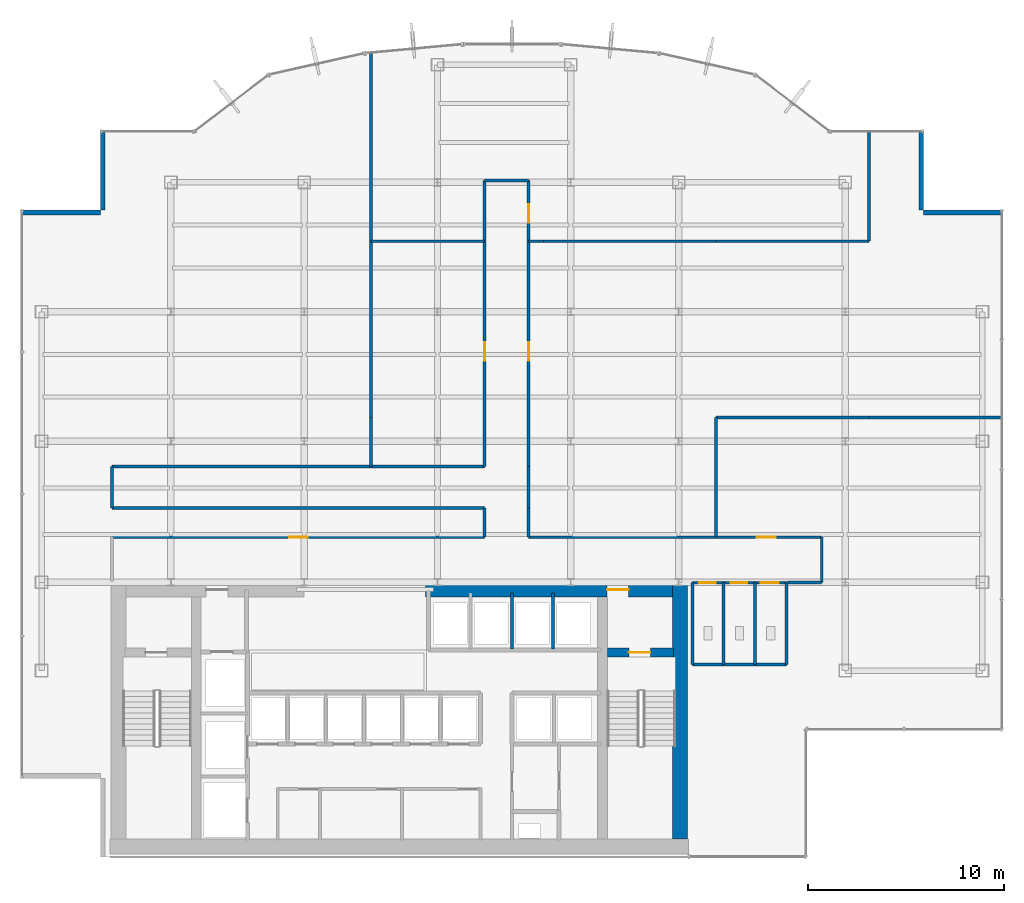
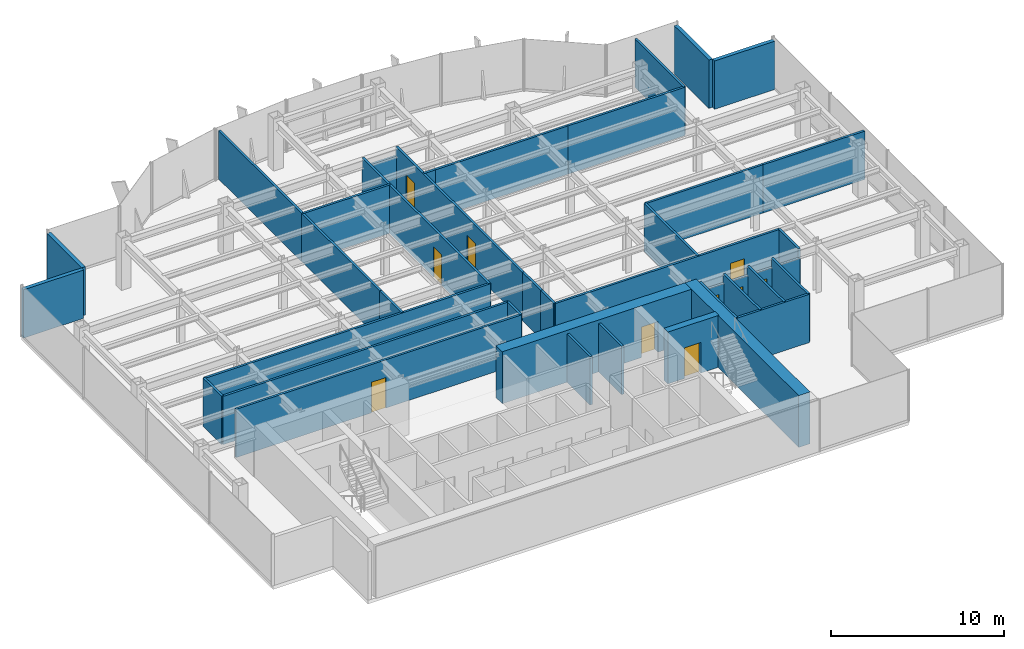
# One storey, part 21 of 25: 39 walls, 10 doors, 10 openings.
"""IFC4 building model written with IfcOpenShell, lengths in metres."""

from ifc_helpers import new_model, si_unit, derived_unit, direction, frame, frame_2d, origin, place, context, subcontext, project, spatial, rectangle, extrude, source, transform, mapped, material, layer, layer_set, type_object, element, fill, save


model = new_model("IFC4")

# Units and contexts
model_context = context("Model", 3, precision=1e-05, world=origin(), true_north=direction((0.0, 1.0)))
body_context = subcontext(model_context, "Body", "Model", "MODEL_VIEW")
ifc_project = project(units=[si_unit("LENGTHUNIT", "METRE"), si_unit("AREAUNIT", "SQUARE_METRE"), si_unit("VOLUMEUNIT", "CUBIC_METRE"), si_unit("PLANEANGLEUNIT", "RADIAN"), si_unit("MASSUNIT", "GRAM", prefix="KILO"), derived_unit("THERMALTRANSMITTANCEUNIT", [(si_unit("POWERUNIT", "WATT"), 1), (si_unit("LENGTHUNIT", "METRE"), -2), (si_unit("THERMODYNAMICTEMPERATUREUNIT", "KELVIN"), -1)])], contexts=[model_context])

# Site, building, storey
site_placement = place(None, origin())
site = spatial("IfcSite", under=ifc_project, at=site_placement, CompositionType="ELEMENT")
building_placement = place(site_placement, origin())
building = spatial("IfcBuilding", under=site, at=building_placement, Name="Skarnbrae Concourse Arena and Tower", CompositionType="ELEMENT")
storey_placement = place(building_placement, frame((0.0, 0.0, 147.89990234375)))
storey = spatial("IfcBuildingStorey", under=building, at=storey_placement, Name="L37", CompositionType="ELEMENT", Elevation=147.89990234375)

# Wall, opening, door
ifc_material_1 = material(Name="Concrete 50 MPa (C50/60)", Category="concrete")
ifc_layer_1 = layer(ifc_material_1, 0.449951171875)
ifc_layer_set_1 = layer_set([ifc_layer_1], Name="Concrete 50 MPa (C50/60)")
wall_type_1 = type_object("IfcWallType", Name="WALL-CORE-450-C50", PredefinedType="SHEAR", material=ifc_layer_set_1)
shared_shape_1 = source(origin(), body_context, "Body", "SweptSolid", [
    extrude(rectangle(XDim=3.389892578125, YDim=0.449951171875, at=frame_2d((1.69482421875, 0.0))), origin(), (0.0, 0.0, 1.0), 3.650146484375),
])
wall_1_placement = place(storey_placement, frame((29.860107421875, 10.419921875, 0.0), z_axis=(0.0, 0.0, 1.0), x_axis=(1.0, 0.0, 0.0)))
wall_1 = element("IfcWall", 1, at=wall_1_placement, inside=storey, type_object=wall_type_1, Name="L37 Rear core shear wall CW-ST2-N", PredefinedType="SHEAR", context=body_context, shape_type="MappedRepresentation", body=[
    mapped(shared_shape_1, transform((0.0, 0.0, 0.0))),
])
opening_1_placement = place(wall_1_placement, frame((1.10009765625, 0.0, 0.0)))
opening_1 = element("IfcOpeningElement", 2, at=opening_1_placement, cuts=wall_1, Name="Opening DT-03", PredefinedType="OPENING", context=body_context, shape_type="SweptSolid", body=[
    extrude(rectangle(XDim=1.10009765625, YDim=2.14990234375, at=frame_2d((0.550048828125, 1.074951171875))), frame((0.0, 0.23486328125, 0.0), z_axis=(0.0, -1.0, 0.0), x_axis=(1.0, 0.0, 0.0)), (0.0, 0.0, 1.0), 0.469970703125),
])
ifc_material_2 = material(Name="Steel CSA G40.21 350W", Category="steel")
door_type_1 = type_object("IfcDoorType", Name="DOOR-FIRE-1100-90M", OperationType="NOTDEFINED", PredefinedType="DOOR", material=ifc_material_2)
shared_shape_2 = source(origin(), body_context, "Body", "SweptSolid", [
    extrude(rectangle(XDim=1.10009765625, YDim=2.14990234375, at=frame_2d((0.550048828125, 1.074951171875))), frame((0.0, 0.02490234375, 0.0), z_axis=(0.0, -1.0, 0.0), x_axis=(1.0, 0.0, 0.0)), (0.0, 0.0, 1.0), 0.050048828125),
])
door_1_placement = place(opening_1_placement, frame((1.10009765625, 0.0, 0.0), z_axis=(0.0, 0.0, 1.0), x_axis=(-1.0, 0.0, 0.0)))
door_1 = element("IfcDoor", 3, at=door_1_placement, inside=storey, type_object=door_type_1, Name="D-1155 Stair ST-2 Door", OperationType="SINGLE_SWING_RIGHT", OverallHeight=2.14990234375, OverallWidth=1.10009765625, PredefinedType="DOOR", context=body_context, shape_type="MappedRepresentation", body=[
    mapped(shared_shape_2, transform((0.0, 0.0, 0.0))),
])
fill(opening_1, door_1)

# Wall
ifc_material_3 = material(Name="Concrete 60 MPa (C60/75)", Category="concrete")
ifc_layer_2 = layer(ifc_material_3, 0.75)
ifc_layer_set_2 = layer_set([ifc_layer_2], Name="Concrete 60 MPa (C60/75)")
wall_type_2 = type_object("IfcWallType", Name="WALL-CORE-750-C60", PredefinedType="SHEAR", material=ifc_layer_set_2)
shared_shape_3 = source(origin(), body_context, "Body", "SweptSolid", [
    extrude(rectangle(XDim=13.10009765625, YDim=0.75, at=frame_2d((6.550048828125, 0.0))), origin(), (0.0, 0.0, 1.0), 3.650146484375),
])
wall_2_placement = place(storey_placement, frame((33.574951171875, 0.89990234375, 0.0), z_axis=(0.0, 0.0, 1.0), x_axis=(0.0, 1.0, 0.0)))
element("IfcWall", 4, at=wall_2_placement, inside=storey, type_object=wall_type_2, Name="L37 Rear core shear wall CW-E", PredefinedType="SHEAR", context=body_context, shape_type="MappedRepresentation", body=[
    mapped(shared_shape_3, transform((0.0, 0.0, 0.0))),
])

# Wall, opening, door
shared_shape_4 = source(origin(), body_context, "Body", "SweptSolid", [
    extrude(rectangle(XDim=12.599853515625, YDim=0.75, at=frame_2d((6.2998046875, 0.0))), origin(), (0.0, 0.0, 1.0), 3.650146484375),
])
wall_3_placement = place(storey_placement, frame((20.60009765625, 13.625, 0.0), z_axis=(0.0, 0.0, 1.0), x_axis=(1.0, 0.0, 0.0)))
wall_3 = element("IfcWall", 5, at=wall_3_placement, inside=storey, type_object=wall_type_2, Name="L37 Rear core shear wall CW-NE", PredefinedType="SHEAR", context=body_context, shape_type="MappedRepresentation", body=[
    mapped(shared_shape_4, transform((0.0, 0.0, 0.0))),
])
opening_2_placement = place(wall_3_placement, frame((9.25, 0.0, 0.0)))
opening_2 = element("IfcOpeningElement", 6, at=opening_2_placement, cuts=wall_3, Name="Opening DT-03", PredefinedType="OPENING", context=body_context, shape_type="SweptSolid", body=[
    extrude(rectangle(XDim=1.10009765625, YDim=2.14990234375, at=frame_2d((0.550048828125, 1.074951171875))), frame((0.0, 0.385009765625, 0.0), z_axis=(0.0, -1.0, 0.0), x_axis=(1.0, 0.0, 0.0)), (0.0, 0.0, 1.0), 0.77001953125),
])
door_2_placement = place(opening_2_placement, origin())
door_2 = element("IfcDoor", 7, at=door_2_placement, inside=storey, type_object=door_type_1, Name="D-1157 Stair ST-2 Vestibule Door", OperationType="SINGLE_SWING_LEFT", OverallHeight=2.14990234375, OverallWidth=1.10009765625, PredefinedType="DOOR", context=body_context, shape_type="MappedRepresentation", body=[
    mapped(shared_shape_2, transform((0.0, 0.0, 0.0))),
])
fill(opening_2, door_2)

# Walls
ifc_material_4 = material(Name="Precast concrete 40 MPa (C40/50)", Category="concrete")
ifc_layer_3 = layer(ifc_material_4, 0.25)
ifc_layer_set_3 = layer_set([ifc_layer_3], Name="Precast concrete 40 MPa (C40/50)")
wall_type_3 = type_object("IfcWallType", Name="WALL-EXT-SPANDREL-250", PredefinedType="STANDARD", material=ifc_layer_set_3)
shared_shape_5 = source(origin(), body_context, "Body", "SweptSolid", [
    extrude(rectangle(XDim=4.0, YDim=0.25, at=frame_2d((2.0, 0.0))), origin(), (0.0, 0.0, 1.0), 3.400146484375),
])
for number, where, z_axis, x_axis, name in (
    (8, (50.0, 32.875, 0.0), (0.0, 0.0, 1.0), (-1.0, 0.0, 0.0), "L37 Notched corner insulated return wall 05"),
    (9, (45.875, 33.0, 0.0), (0.0, 0.0, 1.0), (0.0, 1.0, 0.0), "L37 Notched corner insulated return wall 06"),
    (10, (4.125, 37.0, 0.0), (0.0, 0.0, 1.0), (0.0, -1.0, 0.0), "L37 Notched corner insulated return wall 16"),
    (11, (4.0, 32.875, 0.0), (0.0, 0.0, 1.0), (-1.0, 0.0, 0.0), "L37 Notched corner insulated return wall 17"),
):
    element("IfcWall", number, at=place(storey_placement, frame(where, z_axis=z_axis, x_axis=x_axis)), inside=storey, type_object=wall_type_3, Name=name, PredefinedType="STANDARD", context=body_context, shape_type="MappedRepresentation", body=[
        mapped(shared_shape_5, transform((0.0, 0.0, 0.0))),
    ])
ifc_material_5 = material(Name="Gypsum board on cold-formed steel studs", Category="steel")
ifc_layer_4 = layer(ifc_material_5, 0.14990234375)
ifc_layer_set_4 = layer_set([ifc_layer_4], Name="Gypsum board on cold-formed steel studs")
wall_type_4 = type_object("IfcWallType", Name="WALL-PART-150", PredefinedType="PARTITIONING", material=ifc_layer_set_4)
shared_shape_6 = source(origin(), body_context, "Body", "SweptSolid", [
    extrude(rectangle(XDim=2.5, YDim=0.14990234375, at=frame_2d((1.25, 0.0))), origin(), (0.0, 0.0, 1.0), 3.400146484375),
])
wall_4_placement = place(storey_placement, frame((17.800048828125, 22.39990234375, 0.0), z_axis=(0.0, 0.0, 1.0), x_axis=(0.0, -1.0, 0.0)))
element("IfcWall", 12, at=wall_4_placement, inside=storey, type_object=wall_type_4, Name="L37 Interior partition wall W-L37-DEM-16", PredefinedType="PARTITIONING", context=body_context, shape_type="MappedRepresentation", body=[
    mapped(shared_shape_6, transform((0.0, 0.0, 0.0))),
])
shared_shape_7 = source(origin(), body_context, "Body", "SweptSolid", [
    extrude(rectangle(XDim=2.849853515625, YDim=0.14990234375, at=frame_2d((1.4248046875, 0.0))), origin(), (0.0, 0.0, 1.0), 3.400146484375),
])
for number, where, z_axis, x_axis, name in (
    (13, (24.989990234375, 10.60009765625, 0.0), (0.0, 0.0, 1.0), (0.0, 1.0, 0.0), "L37 Interior partition wall W-L37-B3N-P2"),
    (14, (27.090087890625, 10.60009765625, 0.0), (0.0, 0.0, 1.0), (0.0, 1.0, 0.0), "L37 Interior partition wall W-L37-B3N-P3"),
):
    element("IfcWall", number, at=place(storey_placement, frame(where, z_axis=z_axis, x_axis=x_axis)), inside=storey, type_object=wall_type_4, Name=name, PredefinedType="PARTITIONING", context=body_context, shape_type="MappedRepresentation", body=[
        mapped(shared_shape_7, transform((0.0, 0.0, 0.0))),
    ])
shared_shape_8 = source(origin(), body_context, "Body", "SweptSolid", [
    extrude(rectangle(XDim=4.800048828125, YDim=0.14990234375, at=frame_2d((2.39990234375, 0.0))), origin(), (0.0, 0.0, 1.0), 3.400146484375),
])
wall_5_placement = place(storey_placement, frame((34.199951171875, 9.800048828125, 0.0), z_axis=(0.0, 0.0, 1.0), x_axis=(1.0, 0.0, 0.0)))
element("IfcWall", 15, at=wall_5_placement, inside=storey, type_object=wall_type_4, Name="L37 Interior partition wall W-L37-WC-S", PredefinedType="PARTITIONING", context=body_context, shape_type="MappedRepresentation", body=[
    mapped(shared_shape_8, transform((0.0, 0.0, 0.0))),
])
shared_shape_9 = source(origin(), body_context, "Body", "SweptSolid", [
    extrude(rectangle(XDim=4.179931640625, YDim=0.14990234375, at=frame_2d((2.08984375, 0.0))), origin(), (0.0, 0.0, 1.0), 3.400146484375),
])
for number, where, z_axis, x_axis, name in (
    (16, (39.0, 9.800048828125, 0.0), (0.0, 0.0, 1.0), (0.0, 1.0, 0.0), "L37 Interior partition wall W-L37-WC-E"),
    (17, (34.199951171875, 9.800048828125, 0.0), (0.0, 0.0, 1.0), (0.0, 1.0, 0.0), "L37 Interior partition wall W-L37-WC-W"),
    (18, (35.800048828125, 9.800048828125, 0.0), (0.0, 0.0, 1.0), (0.0, 1.0, 0.0), "L37 Interior partition wall W-L37-WC-D1"),
    (19, (37.39990234375, 9.800048828125, 0.0), (0.0, 0.0, 1.0), (0.0, 1.0, 0.0), "L37 Interior partition wall W-L37-WC-D2"),
):
    element("IfcWall", number, at=place(storey_placement, frame(where, z_axis=z_axis, x_axis=x_axis)), inside=storey, type_object=wall_type_4, Name=name, PredefinedType="PARTITIONING", context=body_context, shape_type="MappedRepresentation", body=[
        mapped(shared_shape_9, transform((0.0, 0.0, 0.0))),
    ])
shared_shape_10 = source(origin(), body_context, "Body", "SweptSolid", [
    extrude(rectangle(XDim=9.0, YDim=0.14990234375, at=frame_2d((4.5, 0.0))), origin(), (0.0, 0.0, 1.0), 3.400146484375),
])
wall_6_placement = place(storey_placement, frame((17.800048828125, 31.39990234375, 0.0), z_axis=(0.0, 0.0, 1.0), x_axis=(0.0, -1.0, 0.0)))
element("IfcWall", 20, at=wall_6_placement, inside=storey, type_object=wall_type_4, Name="L37 Interior partition wall W-L37-DEM-15", PredefinedType="PARTITIONING", context=body_context, shape_type="MappedRepresentation", body=[
    mapped(shared_shape_10, transform((0.0, 0.0, 0.0))),
])
ifc_layer_5 = layer(ifc_material_5, 0.14990234375)
ifc_layer_set_5 = layer_set([ifc_layer_5], Name="Gypsum board on cold-formed steel studs")
wall_type_5 = type_object("IfcWallType", Name="WALL-PART-150-1HR", PredefinedType="PARTITIONING", material=ifc_layer_set_5)
shared_shape_11 = source(origin(), body_context, "Body", "SweptSolid", [
    extrude(rectangle(XDim=2.300048828125, YDim=0.14990234375, at=frame_2d((1.14990234375, 0.0))), origin(), (0.0, 0.0, 1.0), 3.400146484375),
])
wall_7_placement = place(storey_placement, frame((40.800048828125, 16.300048828125, 0.0), z_axis=(0.0, 0.0, 1.0), x_axis=(0.0, -1.0, 0.0)))
element("IfcWall", 21, at=wall_7_placement, inside=storey, type_object=wall_type_5, Name="L37 Interior partition wall W-L37-COR-13", PredefinedType="PARTITIONING", context=body_context, shape_type="MappedRepresentation", body=[
    mapped(shared_shape_11, transform((0.0, 0.0, 0.0))),
])

# Wall, opening, door
shared_shape_12 = source(origin(), body_context, "Body", "SweptSolid", [
    extrude(rectangle(XDim=19.0, YDim=0.14990234375, at=frame_2d((9.5, 0.0))), origin(), (0.0, 0.0, 1.0), 3.400146484375),
])
wall_8_placement = place(storey_placement, frame((4.60009765625, 16.300048828125, 0.0), z_axis=(0.0, 0.0, 1.0), x_axis=(1.0, 0.0, 0.0)))
wall_8 = element("IfcWall", 22, at=wall_8_placement, inside=storey, type_object=wall_type_5, Name="L37 Interior partition wall W-L37-COR-02", PredefinedType="PARTITIONING", context=body_context, shape_type="MappedRepresentation", body=[
    mapped(shared_shape_12, transform((0.0, 0.0, 0.0))),
])
opening_3_placement = place(wall_8_placement, frame((9.02490234375, 0.0, 0.0)))
opening_3 = element("IfcOpeningElement", 23, at=opening_3_placement, cuts=wall_8, Name="Opening DT-04", PredefinedType="OPENING", context=body_context, shape_type="SweptSolid", body=[
    extrude(rectangle(XDim=0.949951171875, YDim=2.14990234375, at=frame_2d((0.47509765625, 1.074951171875))), frame((0.0, 0.0849609375, 0.0), z_axis=(0.0, -1.0, 0.0), x_axis=(1.0, 0.0, 0.0)), (0.0, 0.0, 1.0), 0.169921875),
])
door_type_2 = type_object("IfcDoorType", Name="DOOR-INT-950-45M", OperationType="NOTDEFINED", PredefinedType="DOOR", material=ifc_material_2)
shared_shape_13 = source(origin(), body_context, "Body", "SweptSolid", [
    extrude(rectangle(XDim=0.949951171875, YDim=2.14990234375, at=frame_2d((0.47509765625, 1.074951171875))), frame((0.0, 0.02490234375, 0.0), z_axis=(0.0, -1.0, 0.0), x_axis=(1.0, 0.0, 0.0)), (0.0, 0.0, 1.0), 0.050048828125),
])
door_3_placement = place(opening_3_placement, origin())
door_3 = element("IfcDoor", 24, at=door_3_placement, inside=storey, type_object=door_type_2, Name="D-1175 L37 Suite Door 01", OperationType="SINGLE_SWING_LEFT", OverallHeight=2.14990234375, OverallWidth=0.949951171875, PredefinedType="DOOR", context=body_context, shape_type="MappedRepresentation", body=[
    mapped(shared_shape_13, transform((0.0, 0.0, 0.0))),
])
fill(opening_3, door_3)

# Walls
for number, where, z_axis, x_axis, name in (
    (25, (23.60009765625, 17.800048828125, 0.0), (0.0, 0.0, 1.0), (-1.0, 0.0, 0.0), "L37 Interior partition wall W-L37-COR-04"),
    (26, (4.60009765625, 19.89990234375, 0.0), (0.0, 0.0, 1.0), (1.0, 0.0, 0.0), "L37 Interior partition wall W-L37-COR-06"),
):
    element("IfcWall", number, at=place(storey_placement, frame(where, z_axis=z_axis, x_axis=x_axis)), inside=storey, type_object=wall_type_5, Name=name, PredefinedType="PARTITIONING", context=body_context, shape_type="MappedRepresentation", body=[
        mapped(shared_shape_12, transform((0.0, 0.0, 0.0))),
    ])
shared_shape_14 = source(origin(), body_context, "Body", "SweptSolid", [
    extrude(rectangle(XDim=1.5, YDim=0.14990234375, at=frame_2d((0.75, 0.0))), origin(), (0.0, 0.0, 1.0), 3.400146484375),
])
for number, where, z_axis, x_axis, name in (
    (27, (23.60009765625, 16.300048828125, 0.0), (0.0, 0.0, 1.0), (0.0, 1.0, 0.0), "L37 Interior partition wall W-L37-COR-03"),
    (28, (25.85009765625, 17.800048828125, 0.0), (0.0, 0.0, 1.0), (0.0, -1.0, 0.0), "L37 Interior partition wall W-L37-COR-11"),
):
    element("IfcWall", number, at=place(storey_placement, frame(where, z_axis=z_axis, x_axis=x_axis)), inside=storey, type_object=wall_type_5, Name=name, PredefinedType="PARTITIONING", context=body_context, shape_type="MappedRepresentation", body=[
        mapped(shared_shape_14, transform((0.0, 0.0, 0.0))),
    ])
shared_shape_15 = source(origin(), body_context, "Body", "SweptSolid", [
    extrude(rectangle(XDim=2.099853515625, YDim=0.14990234375, at=frame_2d((1.0498046875, 0.0))), origin(), (0.0, 0.0, 1.0), 3.400146484375),
])
for number, where, z_axis, x_axis, name in (
    (29, (4.60009765625, 17.800048828125, 0.0), (0.0, 0.0, 1.0), (0.0, 1.0, 0.0), "L37 Interior partition wall W-L37-COR-05"),
    (30, (25.85009765625, 19.89990234375, 0.0), (0.0, 0.0, 1.0), (0.0, -1.0, 0.0), "L37 Interior partition wall W-L37-COR-10"),
):
    element("IfcWall", number, at=place(storey_placement, frame(where, z_axis=z_axis, x_axis=x_axis)), inside=storey, type_object=wall_type_5, Name=name, PredefinedType="PARTITIONING", context=body_context, shape_type="MappedRepresentation", body=[
        mapped(shared_shape_15, transform((0.0, 0.0, 0.0))),
    ])

# Wall, opening, door
shared_shape_16 = source(origin(), body_context, "Body", "SweptSolid", [
    extrude(rectangle(XDim=14.60009765625, YDim=0.14990234375, at=frame_2d((7.300048828125, 0.0))), origin(), (0.0, 0.0, 1.0), 3.400146484375),
])
wall_9_placement = place(storey_placement, frame((23.60009765625, 19.89990234375, 0.0), z_axis=(0.0, 0.0, 1.0), x_axis=(0.0, 1.0, 0.0)))
wall_9 = element("IfcWall", 31, at=wall_9_placement, inside=storey, type_object=wall_type_5, Name="L37 Interior partition wall W-L37-COR-07", PredefinedType="PARTITIONING", context=body_context, shape_type="MappedRepresentation", body=[
    mapped(shared_shape_16, transform((0.0, 0.0, 0.0))),
])
opening_4_placement = place(wall_9_placement, frame((5.405029296875, 0.0, 0.0)))
opening_4 = element("IfcOpeningElement", 32, at=opening_4_placement, cuts=wall_9, Name="Opening DT-04", PredefinedType="OPENING", context=body_context, shape_type="SweptSolid", body=[
    extrude(rectangle(XDim=0.949951171875, YDim=2.14990234375, at=frame_2d((0.47509765625, 1.074951171875))), frame((0.0, 0.0849609375, 0.0), z_axis=(0.0, -1.0, 0.0), x_axis=(1.0, 0.0, 0.0)), (0.0, 0.0, 1.0), 0.169921875),
])
door_4_placement = place(opening_4_placement, origin())
door_4 = element("IfcDoor", 33, at=door_4_placement, inside=storey, type_object=door_type_2, Name="D-1176 L37 Suite Door 02", OperationType="SINGLE_SWING_RIGHT", OverallHeight=2.14990234375, OverallWidth=0.949951171875, PredefinedType="DOOR", context=body_context, shape_type="MappedRepresentation", body=[
    mapped(shared_shape_13, transform((0.0, 0.0, 0.0))),
])
fill(opening_4, door_4)

# Wall, openings, doors
wall_10_placement = place(storey_placement, frame((25.85009765625, 34.5, 0.0), z_axis=(0.0, 0.0, 1.0), x_axis=(0.0, -1.0, 0.0)))
wall_10 = element("IfcWall", 34, at=wall_10_placement, inside=storey, type_object=wall_type_5, Name="L37 Interior partition wall W-L37-COR-09", PredefinedType="PARTITIONING", context=body_context, shape_type="MappedRepresentation", body=[
    mapped(shared_shape_16, transform((0.0, 0.0, 0.0))),
])
opening_5_placement = place(wall_10_placement, frame((1.205078125, 0.0, 0.0)))
opening_5 = element("IfcOpeningElement", 35, at=opening_5_placement, cuts=wall_10, Name="Opening DT-04", PredefinedType="OPENING", context=body_context, shape_type="SweptSolid", body=[
    extrude(rectangle(XDim=0.949951171875, YDim=2.14990234375, at=frame_2d((0.47509765625, 1.074951171875))), frame((0.0, 0.0849609375, 0.0), z_axis=(0.0, -1.0, 0.0), x_axis=(1.0, 0.0, 0.0)), (0.0, 0.0, 1.0), 0.169921875),
])
opening_6_placement = place(wall_10_placement, frame((8.2451171875, 0.0, 0.0)))
opening_6 = element("IfcOpeningElement", 36, at=opening_6_placement, cuts=wall_10, Name="Opening DT-04", PredefinedType="OPENING", context=body_context, shape_type="SweptSolid", body=[
    extrude(rectangle(XDim=0.949951171875, YDim=2.14990234375, at=frame_2d((0.47509765625, 1.074951171875))), frame((0.0, 0.0849609375, 0.0), z_axis=(0.0, -1.0, 0.0), x_axis=(1.0, 0.0, 0.0)), (0.0, 0.0, 1.0), 0.169921875),
])
door_5_placement = place(opening_5_placement, origin())
door_5 = element("IfcDoor", 37, at=door_5_placement, inside=storey, type_object=door_type_2, Name="D-1177 L37 Suite Door 03", OperationType="SINGLE_SWING_LEFT", OverallHeight=2.14990234375, OverallWidth=0.949951171875, PredefinedType="DOOR", context=body_context, shape_type="MappedRepresentation", body=[
    mapped(shared_shape_13, transform((0.0, 0.0, 0.0))),
])
fill(opening_5, door_5)
door_6_placement = place(opening_6_placement, origin())
door_6 = element("IfcDoor", 38, at=door_6_placement, inside=storey, type_object=door_type_2, Name="D-1178 L37 Suite Door 04", OperationType="SINGLE_SWING_RIGHT", OverallHeight=2.14990234375, OverallWidth=0.949951171875, PredefinedType="DOOR", context=body_context, shape_type="MappedRepresentation", body=[
    mapped(shared_shape_13, transform((0.0, 0.0, 0.0))),
])
fill(opening_6, door_6)

# Wall, opening, door
shared_shape_17 = source(origin(), body_context, "Body", "SweptSolid", [
    extrude(rectangle(XDim=14.949951171875, YDim=0.14990234375, at=frame_2d((7.47509765625, 0.0))), origin(), (0.0, 0.0, 1.0), 3.400146484375),
])
wall_11_placement = place(storey_placement, frame((25.85009765625, 16.300048828125, 0.0), z_axis=(0.0, 0.0, 1.0), x_axis=(1.0, 0.0, 0.0)))
wall_11 = element("IfcWall", 39, at=wall_11_placement, inside=storey, type_object=wall_type_5, Name="L37 Interior partition wall W-L37-COR-12", PredefinedType="PARTITIONING", context=body_context, shape_type="MappedRepresentation", body=[
    mapped(shared_shape_17, transform((0.0, 0.0, 0.0))),
])
opening_7_placement = place(wall_11_placement, frame((11.64501953125, 0.0, 0.0)))
opening_7 = element("IfcOpeningElement", 40, at=opening_7_placement, cuts=wall_11, Name="Opening DT-04", PredefinedType="OPENING", context=body_context, shape_type="SweptSolid", body=[
    extrude(rectangle(XDim=0.949951171875, YDim=2.14990234375, at=frame_2d((0.47509765625, 1.074951171875))), frame((0.0, 0.0849609375, 0.0), z_axis=(0.0, -1.0, 0.0), x_axis=(1.0, 0.0, 0.0)), (0.0, 0.0, 1.0), 0.169921875),
])
door_7_placement = place(opening_7_placement, origin())
door_7 = element("IfcDoor", 41, at=door_7_placement, inside=storey, type_object=door_type_2, Name="D-1179 L37 Suite Door 05", OperationType="SINGLE_SWING_LEFT", OverallHeight=2.14990234375, OverallWidth=0.949951171875, PredefinedType="DOOR", context=body_context, shape_type="MappedRepresentation", body=[
    mapped(shared_shape_13, transform((0.0, 0.0, 0.0))),
])
fill(opening_7, door_7)

# Wall
shared_shape_18 = source(origin(), body_context, "Body", "SweptSolid", [
    extrude(rectangle(XDim=5.800048828125, YDim=0.14990234375, at=frame_2d((2.89990234375, 0.0))), origin(), (0.0, 0.0, 1.0), 3.400146484375),
])
wall_12_placement = place(storey_placement, frame((17.800048828125, 31.39990234375, 0.0), z_axis=(0.0, 0.0, 1.0), x_axis=(1.0, 0.0, 0.0)))
element("IfcWall", 42, at=wall_12_placement, inside=storey, type_object=wall_type_4, Name="L37 Interior partition wall W-L37-DEM-17", PredefinedType="PARTITIONING", context=body_context, shape_type="MappedRepresentation", body=[
    mapped(shared_shape_18, transform((0.0, 0.0, 0.0))),
])

# Wall, openings, doors
shared_shape_19 = source(origin(), body_context, "Body", "SweptSolid", [
    extrude(rectangle(XDim=4.800048828125, YDim=0.14990234375, at=frame_2d((2.39990234375, 0.0))), origin(), (0.0, 0.0, 1.0), 2.760009765625),
])
wall_13_placement = place(storey_placement, frame((34.199951171875, 13.97998046875, 0.0), z_axis=(0.0, 0.0, 1.0), x_axis=(1.0, 0.0, 0.0)))
wall_13 = element("IfcWall", 43, at=wall_13_placement, inside=storey, type_object=wall_type_4, Name="L37 Interior partition wall W-L37-WC-N", PredefinedType="PARTITIONING", context=body_context, shape_type="MappedRepresentation", body=[
    mapped(shared_shape_19, transform((0.0, 0.0, 0.0))),
])
opening_8_placement = place(wall_13_placement, frame((0.35009765625, 0.0, 0.0)))
opening_8 = element("IfcOpeningElement", 44, at=opening_8_placement, cuts=wall_13, Name="Opening DT-06", PredefinedType="OPENING", context=body_context, shape_type="SweptSolid", body=[
    extrude(rectangle(XDim=0.85009765625, YDim=2.10009765625, at=frame_2d((0.425048828125, 1.050048828125))), frame((0.0, 0.0849609375, 0.0), z_axis=(0.0, -1.0, 0.0), x_axis=(1.0, 0.0, 0.0)), (0.0, 0.0, 1.0), 0.169921875),
])
opening_9_placement = place(wall_13_placement, frame((1.949951171875, 0.0, 0.0)))
opening_9 = element("IfcOpeningElement", 45, at=opening_9_placement, cuts=wall_13, Name="Opening DT-06", PredefinedType="OPENING", context=body_context, shape_type="SweptSolid", body=[
    extrude(rectangle(XDim=0.85009765625, YDim=2.10009765625, at=frame_2d((0.425048828125, 1.050048828125))), frame((0.0, 0.0849609375, 0.0), z_axis=(0.0, -1.0, 0.0), x_axis=(1.0, 0.0, 0.0)), (0.0, 0.0, 1.0), 0.169921875),
])
opening_10_placement = place(wall_13_placement, frame((3.5, 0.0, 0.0)))
opening_10 = element("IfcOpeningElement", 46, at=opening_10_placement, cuts=wall_13, Name="Opening DT-05", PredefinedType="OPENING", context=body_context, shape_type="SweptSolid", body=[
    extrude(rectangle(XDim=0.89990234375, YDim=2.10009765625, at=frame_2d((0.449951171875, 1.050048828125))), frame((0.0, 0.0849609375, 0.0), z_axis=(0.0, -1.0, 0.0), x_axis=(1.0, 0.0, 0.0)), (0.0, 0.0, 1.0), 0.169921875),
])
ifc_material_6 = material(Name="Architectural oak veneer timber leaf", Category="wood")
door_type_3 = type_object("IfcDoorType", Name="DOOR-INT-850", OperationType="NOTDEFINED", PredefinedType="DOOR", material=ifc_material_6)
shared_shape_20 = source(origin(), body_context, "Body", "SweptSolid", [
    extrude(rectangle(XDim=0.85009765625, YDim=2.10009765625, at=frame_2d((0.425048828125, 1.050048828125))), frame((0.0, 0.02490234375, 0.0), z_axis=(0.0, -1.0, 0.0), x_axis=(1.0, 0.0, 0.0)), (0.0, 0.0, 1.0), 0.050048828125),
])
door_8_placement = place(opening_8_placement, frame((0.85009765625, 0.0, 0.0), z_axis=(0.0, 0.0, 1.0), x_axis=(-1.0, 0.0, 0.0)))
door_8 = element("IfcDoor", 47, at=door_8_placement, inside=storey, type_object=door_type_3, Name="D-1172 Male Washroom Door", OperationType="SINGLE_SWING_LEFT", OverallHeight=2.10009765625, OverallWidth=0.85009765625, PredefinedType="DOOR", context=body_context, shape_type="MappedRepresentation", body=[
    mapped(shared_shape_20, transform((0.0, 0.0, 0.0))),
])
fill(opening_8, door_8)
door_9_placement = place(opening_9_placement, frame((0.85009765625, 0.0, 0.0), z_axis=(0.0, 0.0, 1.0), x_axis=(-1.0, 0.0, 0.0)))
door_9 = element("IfcDoor", 48, at=door_9_placement, inside=storey, type_object=door_type_3, Name="D-1173 Female Washroom Door", OperationType="SINGLE_SWING_RIGHT", OverallHeight=2.10009765625, OverallWidth=0.85009765625, PredefinedType="DOOR", context=body_context, shape_type="MappedRepresentation", body=[
    mapped(shared_shape_20, transform((0.0, 0.0, 0.0))),
])
fill(opening_9, door_9)
door_type_4 = type_object("IfcDoorType", Name="DOOR-INT-900", OperationType="NOTDEFINED", PredefinedType="DOOR", material=ifc_material_6)
shared_shape_21 = source(origin(), body_context, "Body", "SweptSolid", [
    extrude(rectangle(XDim=0.89990234375, YDim=2.10009765625, at=frame_2d((0.449951171875, 1.050048828125))), frame((0.0, 0.02490234375, 0.0), z_axis=(0.0, -1.0, 0.0), x_axis=(1.0, 0.0, 0.0)), (0.0, 0.0, 1.0), 0.050048828125),
])
door_10_placement = place(opening_10_placement, frame((0.89990234375, 0.0, 0.0), z_axis=(0.0, 0.0, 1.0), x_axis=(-1.0, 0.0, 0.0)))
door_10 = element("IfcDoor", 49, at=door_10_placement, inside=storey, type_object=door_type_4, Name="D-1174 Accessible WC Door", OperationType="SINGLE_SWING_LEFT", OverallHeight=2.10009765625, OverallWidth=0.89990234375, PredefinedType="DOOR", context=body_context, shape_type="MappedRepresentation", body=[
    mapped(shared_shape_21, transform((0.0, 0.0, 0.0))),
])
fill(opening_10, door_10)

# Walls
shared_shape_22 = source(origin(), body_context, "Body", "SweptSolid", [
    extrude(rectangle(XDim=1.75, YDim=0.14990234375, at=frame_2d((0.875, 0.0))), origin(), (0.0, 0.0, 1.0), 2.760009765625),
])
wall_14_placement = place(storey_placement, frame((40.800048828125, 14.0, 0.0), z_axis=(0.0, 0.0, 1.0), x_axis=(-1.0, 0.0, 0.0)))
element("IfcWall", 50, at=wall_14_placement, inside=storey, type_object=wall_type_5, Name="L37 Interior partition wall W-L37-COR-14", PredefinedType="PARTITIONING", context=body_context, shape_type="MappedRepresentation", body=[
    mapped(shared_shape_22, transform((0.0, 0.0, 0.0))),
])
shared_shape_23 = source(origin(), body_context, "Body", "SweptSolid", [
    extrude(rectangle(XDim=2.25, YDim=0.14990234375, at=frame_2d((1.125, 0.0))), origin(), (0.0, 0.0, 1.0), 2.760009765625),
])
wall_15_placement = place(storey_placement, frame((23.60009765625, 34.5, 0.0), z_axis=(0.0, 0.0, 1.0), x_axis=(1.0, 0.0, 0.0)))
element("IfcWall", 51, at=wall_15_placement, inside=storey, type_object=wall_type_5, Name="L37 Interior partition wall W-L37-COR-08", PredefinedType="PARTITIONING", context=body_context, shape_type="MappedRepresentation", body=[
    mapped(shared_shape_23, transform((0.0, 0.0, 0.0))),
])
shared_shape_24 = source(origin(), body_context, "Body", "SweptSolid", [
    extrude(rectangle(XDim=9.595703125, YDim=0.14990234375, at=frame_2d((4.7978515625, 0.0))), origin(), (0.0, 0.0, 1.0), 3.400146484375),
])
wall_16_placement = place(storey_placement, frame((17.800048828125, 40.99560546875, 0.0), z_axis=(0.0, 0.0, 1.0), x_axis=(0.0, -1.0, 0.0)))
element("IfcWall", 52, at=wall_16_placement, inside=storey, type_object=wall_type_4, Name="L37 Interior partition wall W-L37-DEM-18", PredefinedType="PARTITIONING", context=body_context, shape_type="MappedRepresentation", body=[
    mapped(shared_shape_24, transform((0.0, 0.0, 0.0))),
])
shared_shape_25 = source(origin(), body_context, "Body", "SweptSolid", [
    extrude(rectangle(XDim=5.580078125, YDim=0.14990234375, at=frame_2d((2.7900390625, 0.0))), origin(), (0.0, 0.0, 1.0), 3.400146484375),
])
wall_17_placement = place(storey_placement, frame((43.199951171875, 36.97998046875, 0.0), z_axis=(0.0, 0.0, 1.0), x_axis=(0.0, -1.0, 0.0)))
element("IfcWall", 53, at=wall_17_placement, inside=storey, type_object=wall_type_4, Name="L37 Interior partition wall W-L37-DEM-19", PredefinedType="PARTITIONING", context=body_context, shape_type="MappedRepresentation", body=[
    mapped(shared_shape_25, transform((0.0, 0.0, 0.0))),
])
shared_shape_26 = source(origin(), body_context, "Body", "SweptSolid", [
    extrude(rectangle(XDim=7.800048828125, YDim=0.14990234375, at=frame_2d((3.89990234375, 0.0))), origin(), (0.0, 0.0, 1.0), 3.400146484375),
])
for number, where, z_axis, x_axis, name in (
    (54, (43.199951171875, 31.39990234375, 0.0), (0.0, 0.0, 1.0), (-1.0, 0.0, 0.0), "L37 Interior partition wall W-L37-DEM-20"),
    (55, (43.199951171875, 22.39990234375, 0.0), (0.0, 0.0, 1.0), (-1.0, 0.0, 0.0), "L37 Interior partition wall W-L37-DEM-24"),
):
    element("IfcWall", number, at=place(storey_placement, frame(where, z_axis=z_axis, x_axis=x_axis)), inside=storey, type_object=wall_type_4, Name=name, PredefinedType="PARTITIONING", context=body_context, shape_type="MappedRepresentation", body=[
        mapped(shared_shape_26, transform((0.0, 0.0, 0.0))),
    ])
shared_shape_27 = source(origin(), body_context, "Body", "SweptSolid", [
    extrude(rectangle(XDim=8.7998046875, YDim=0.14990234375, at=frame_2d((4.39990234375, 0.0))), origin(), (0.0, 0.0, 1.0), 3.400146484375),
])
wall_18_placement = place(storey_placement, frame((35.39990234375, 31.39990234375, 0.0), z_axis=(0.0, 0.0, 1.0), x_axis=(-1.0, 0.0, 0.0)))
element("IfcWall", 56, at=wall_18_placement, inside=storey, type_object=wall_type_4, Name="L37 Interior partition wall W-L37-DEM-21", PredefinedType="PARTITIONING", context=body_context, shape_type="MappedRepresentation", body=[
    mapped(shared_shape_27, transform((0.0, 0.0, 0.0))),
])
shared_shape_28 = source(origin(), body_context, "Body", "SweptSolid", [
    extrude(rectangle(XDim=0.75, YDim=0.14990234375, at=frame_2d((0.375, 0.0))), origin(), (0.0, 0.0, 1.0), 3.400146484375),
])
wall_19_placement = place(storey_placement, frame((26.60009765625, 31.39990234375, 0.0), z_axis=(0.0, 0.0, 1.0), x_axis=(-1.0, 0.0, 0.0)))
element("IfcWall", 57, at=wall_19_placement, inside=storey, type_object=wall_type_4, Name="L37 Interior partition wall W-L37-DEM-22", PredefinedType="PARTITIONING", context=body_context, shape_type="MappedRepresentation", body=[
    mapped(shared_shape_28, transform((0.0, 0.0, 0.0))),
])
shared_shape_29 = source(origin(), body_context, "Body", "SweptSolid", [
    extrude(rectangle(XDim=6.780029296875, YDim=0.14990234375, at=frame_2d((3.39013671875, 0.0))), origin(), (0.0, 0.0, 1.0), 3.400146484375),
])
wall_20_placement = place(storey_placement, frame((49.97998046875, 22.39990234375, 0.0), z_axis=(0.0, 0.0, 1.0), x_axis=(-1.0, 0.0, 0.0)))
element("IfcWall", 58, at=wall_20_placement, inside=storey, type_object=wall_type_4, Name="L37 Interior partition wall W-L37-DEM-23", PredefinedType="PARTITIONING", context=body_context, shape_type="MappedRepresentation", body=[
    mapped(shared_shape_29, transform((0.0, 0.0, 0.0))),
])
shared_shape_30 = source(origin(), body_context, "Body", "SweptSolid", [
    extrude(rectangle(XDim=6.099853515625, YDim=0.14990234375, at=frame_2d((3.0498046875, 0.0))), origin(), (0.0, 0.0, 1.0), 3.400146484375),
])
wall_21_placement = place(storey_placement, frame((35.39990234375, 22.39990234375, 0.0), z_axis=(0.0, 0.0, 1.0), x_axis=(0.0, -1.0, 0.0)))
element("IfcWall", 59, at=wall_21_placement, inside=storey, type_object=wall_type_4, Name="L37 Interior partition wall W-L37-DEM-25", PredefinedType="PARTITIONING", context=body_context, shape_type="MappedRepresentation", body=[
    mapped(shared_shape_30, transform((0.0, 0.0, 0.0))),
])

save(model, "model.ifc")
